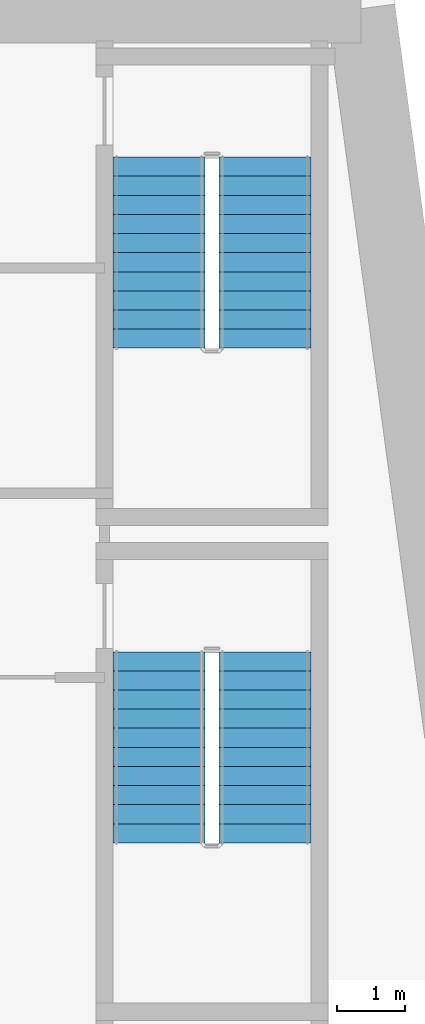
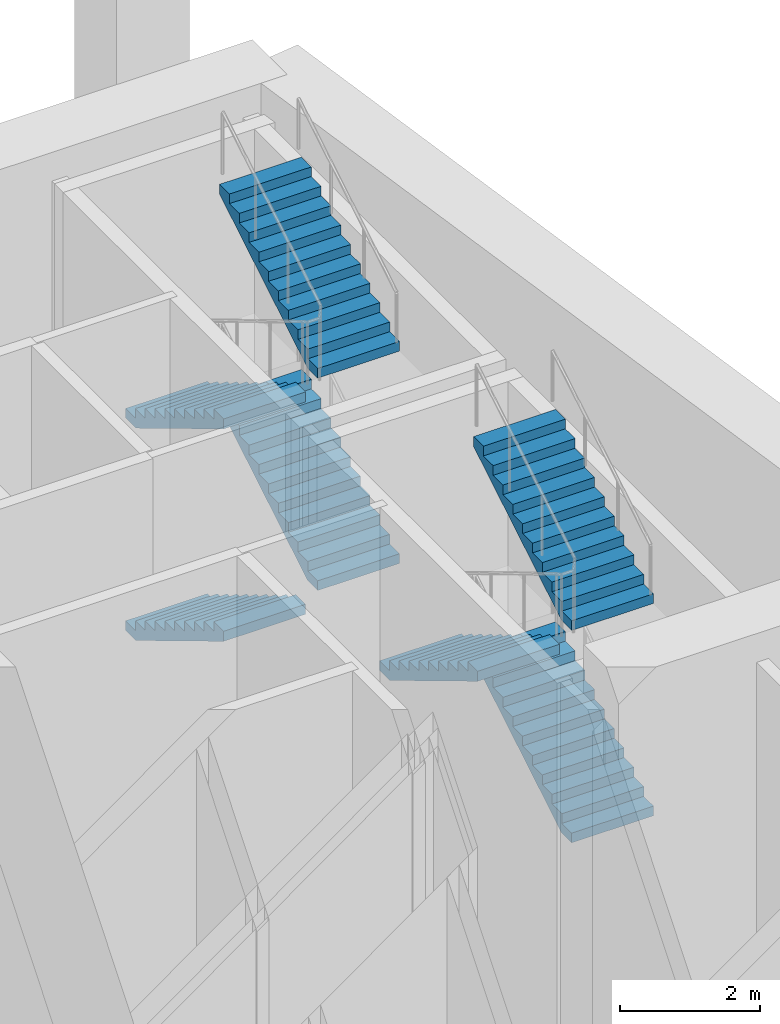
# One storey, part 6 of 10: 7 stair flights, 2 elements without a shape of their own.
"""IFC4 building model written with IfcOpenShell, lengths in metres."""

from ifc_helpers import new_model, si_unit, direction, frame, origin, place, context, subcontext, project, spatial, polyline, outline, extrude, material, type_object, element, aggregate, save


model = new_model("IFC4")

# Units and contexts
model_context = context("Model", 3, precision=1e-05, world=origin(), true_north=direction((0.0, 1.0)))
body_context = subcontext(model_context, "Body", "Model", "MODEL_VIEW")
ifc_project = project(units=[si_unit("LENGTHUNIT", "METRE"), si_unit("AREAUNIT", "SQUARE_METRE"), si_unit("VOLUMEUNIT", "CUBIC_METRE"), si_unit("PLANEANGLEUNIT", "RADIAN"), si_unit("MASSUNIT", "GRAM", prefix="KILO")], contexts=[model_context])

# Site, building, storey
site_placement = place(None, origin())
site = spatial("IfcSite", under=ifc_project, at=site_placement, CompositionType="ELEMENT")
building_placement = place(site_placement, origin())
building = spatial("IfcBuilding", under=site, at=building_placement, Name="Candeia Pilgrim Tower and Theatre", CompositionType="ELEMENT")
storey_placement = place(building_placement, frame((0.0, 0.0, 135.39990234375)))
storey = spatial("IfcBuildingStorey", under=building, at=storey_placement, Name="L32", CompositionType="ELEMENT", Elevation=135.39990234375)

# Stair, stair flights
ifc_material = material(Name="Concrete C40/50", Category="concrete")
stair_type = type_object("IfcStairType", Name="ST-TWR dog-leg escape stair", PredefinedType="HALF_TURN_STAIR", material=ifc_material)
stair_1_placement = place(storey_placement, origin())
stair_1 = element("IfcStair", 1, at=stair_1_placement, inside=storey, type_object=stair_type, Name="L32 Escape stair ST3", PredefinedType="HALF_TURN_STAIR")
stair_flight_type = type_object("IfcStairFlightType", Name="SFL-RC stair flight", PredefinedType="STRAIGHT", material=ifc_material)
stair_flight_1_placement = place(storey_placement, frame((136.322998046875, 119.675048828125, 1.85009765625), z_axis=(0.0, 0.0, 1.0), x_axis=(0.0, 1.0, 0.0)))
stair_flight_1 = element("IfcStairFlight", 2, at=stair_flight_1_placement, type_object=stair_flight_type, Name="ST3 flight 2", NumberOfRisers=11, NumberOfTreads=10, PredefinedType="STRAIGHT", RiserHeight=0.168181818, TreadLength=0.28, context=body_context, shape_type="SweptSolid", body=[
    extrude(outline(polyline([(0.0, 0.0), (0.0, 0.168212890625), (0.280029296875, 0.168212890625), (0.280029296875, 0.33642578125), (0.56005859375, 0.33642578125), (0.56005859375, 0.504638671875), (0.840087890625, 0.504638671875), (0.840087890625, 0.672607421875), (1.1201171875, 0.672607421875), (1.1201171875, 0.8408203125), (1.39990234375, 0.8408203125), (1.39990234375, 1.009033203125), (1.679931640625, 1.009033203125), (1.679931640625, 1.17724609375), (1.9599609375, 1.17724609375), (1.9599609375, 1.345458984375), (2.239990234375, 1.345458984375), (2.239990234375, 1.513671875), (2.52001953125, 1.513671875), (2.52001953125, 1.681884765625), (2.800048828125, 1.681884765625), (2.800048828125, 1.85009765625), (2.800048828125, 1.5068359375), (0.291015625, 0.0), (0.0, 0.0)])), frame((0.0, 0.675048828125, 0.0), z_axis=(0.0, -1.0, 0.0), x_axis=(1.0, 0.0, 0.0)), (0.0, 0.0, 1.0), 1.35009765625),
])
stair_flight_2_placement = place(storey_placement, frame((134.77294921875, 122.47509765625, 3.7001953125), z_axis=(0.0, 0.0, 1.0), x_axis=(0.0, -1.0, 0.0)))
stair_flight_2 = element("IfcStairFlight", 3, at=stair_flight_2_placement, type_object=stair_flight_type, Name="ST3 flight 3", NumberOfRisers=11, NumberOfTreads=10, PredefinedType="STRAIGHT", RiserHeight=0.168181818, TreadLength=0.28, context=body_context, shape_type="SweptSolid", body=[
    extrude(outline(polyline([(0.0, 0.0), (0.0, 0.168212890625), (0.280029296875, 0.168212890625), (0.280029296875, 0.33642578125), (0.56005859375, 0.33642578125), (0.56005859375, 0.504638671875), (0.840087890625, 0.504638671875), (0.840087890625, 0.672607421875), (1.1201171875, 0.672607421875), (1.1201171875, 0.8408203125), (1.39990234375, 0.8408203125), (1.39990234375, 1.009033203125), (1.679931640625, 1.009033203125), (1.679931640625, 1.17724609375), (1.9599609375, 1.17724609375), (1.9599609375, 1.345458984375), (2.239990234375, 1.345458984375), (2.239990234375, 1.513671875), (2.52001953125, 1.513671875), (2.52001953125, 1.681884765625), (2.800048828125, 1.681884765625), (2.800048828125, 1.85009765625), (2.800048828125, 1.5068359375), (0.291015625, 0.0), (0.0, 0.0)])), frame((0.0, 0.675048828125, 0.0), z_axis=(0.0, -1.0, 0.0), x_axis=(1.0, 0.0, 0.0)), (0.0, 0.0, 1.0), 1.35009765625),
])
stair_flight_3_placement = place(storey_placement, frame((136.322998046875, 119.675048828125, 5.550048828125), z_axis=(0.0, 0.0, 1.0), x_axis=(0.0, 1.0, 0.0)))
stair_flight_3 = element("IfcStairFlight", 4, at=stair_flight_3_placement, type_object=stair_flight_type, Name="ST3 flight 4", NumberOfRisers=11, NumberOfTreads=10, PredefinedType="STRAIGHT", RiserHeight=0.168181818, TreadLength=0.28, context=body_context, shape_type="SweptSolid", body=[
    extrude(outline(polyline([(0.0, 0.0), (0.0, 0.168212890625), (0.280029296875, 0.168212890625), (0.280029296875, 0.33642578125), (0.56005859375, 0.33642578125), (0.56005859375, 0.504638671875), (0.840087890625, 0.504638671875), (0.840087890625, 0.672607421875), (1.1201171875, 0.672607421875), (1.1201171875, 0.8408203125), (1.39990234375, 0.8408203125), (1.39990234375, 1.009033203125), (1.679931640625, 1.009033203125), (1.679931640625, 1.17724609375), (1.9599609375, 1.17724609375), (1.9599609375, 1.345458984375), (2.239990234375, 1.345458984375), (2.239990234375, 1.513671875), (2.52001953125, 1.513671875), (2.52001953125, 1.681884765625), (2.800048828125, 1.681884765625), (2.800048828125, 1.85009765625), (2.800048828125, 1.5068359375), (0.291015625, 0.0), (0.0, 0.0)])), frame((0.0, 0.675048828125, 0.0), z_axis=(0.0, -1.0, 0.0), x_axis=(1.0, 0.0, 0.0)), (0.0, 0.0, 1.0), 1.35009765625),
])
aggregate(stair_1, [stair_flight_1, stair_flight_2, stair_flight_3])

stair_2_placement = place(storey_placement, origin())
stair_2 = element("IfcStair", 5, at=stair_2_placement, inside=storey, type_object=stair_type, Name="L32 Escape stair ST4", PredefinedType="HALF_TURN_STAIR")
stair_flight_4_placement = place(storey_placement, frame((134.77294921875, 129.72509765625, 0.0), z_axis=(0.0, 0.0, 1.0), x_axis=(0.0, -1.0, 0.0)))
stair_flight_4 = element("IfcStairFlight", 6, at=stair_flight_4_placement, type_object=stair_flight_type, Name="ST4 flight 1", NumberOfRisers=11, NumberOfTreads=10, PredefinedType="STRAIGHT", RiserHeight=0.168181818, TreadLength=0.28, context=body_context, shape_type="SweptSolid", body=[
    extrude(outline(polyline([(0.0, 0.0), (0.0, 0.168212890625), (0.280029296875, 0.168212890625), (0.280029296875, 0.33642578125), (0.56005859375, 0.33642578125), (0.56005859375, 0.504638671875), (0.840087890625, 0.504638671875), (0.840087890625, 0.672607421875), (1.1201171875, 0.672607421875), (1.1201171875, 0.8408203125), (1.39990234375, 0.8408203125), (1.39990234375, 1.009033203125), (1.679931640625, 1.009033203125), (1.679931640625, 1.17724609375), (1.9599609375, 1.17724609375), (1.9599609375, 1.345458984375), (2.239990234375, 1.345458984375), (2.239990234375, 1.513671875), (2.52001953125, 1.513671875), (2.52001953125, 1.681884765625), (2.800048828125, 1.681884765625), (2.800048828125, 1.85009765625), (2.800048828125, 1.5068359375), (0.291015625, 0.0), (0.0, 0.0)])), frame((0.0, 0.675048828125, 0.0), z_axis=(0.0, -1.0, 0.0), x_axis=(1.0, 0.0, 0.0)), (0.0, 0.0, 1.0), 1.35009765625),
])
stair_flight_5_placement = place(storey_placement, frame((136.322998046875, 126.925048828125, 1.85009765625), z_axis=(0.0, 0.0, 1.0), x_axis=(0.0, 1.0, 0.0)))
stair_flight_5 = element("IfcStairFlight", 7, at=stair_flight_5_placement, type_object=stair_flight_type, Name="ST4 flight 2", NumberOfRisers=11, NumberOfTreads=10, PredefinedType="STRAIGHT", RiserHeight=0.168181818, TreadLength=0.28, context=body_context, shape_type="SweptSolid", body=[
    extrude(outline(polyline([(0.0, 0.0), (0.0, 0.168212890625), (0.280029296875, 0.168212890625), (0.280029296875, 0.33642578125), (0.56005859375, 0.33642578125), (0.56005859375, 0.504638671875), (0.840087890625, 0.504638671875), (0.840087890625, 0.672607421875), (1.1201171875, 0.672607421875), (1.1201171875, 0.8408203125), (1.39990234375, 0.8408203125), (1.39990234375, 1.009033203125), (1.679931640625, 1.009033203125), (1.679931640625, 1.17724609375), (1.9599609375, 1.17724609375), (1.9599609375, 1.345458984375), (2.239990234375, 1.345458984375), (2.239990234375, 1.513671875), (2.52001953125, 1.513671875), (2.52001953125, 1.681884765625), (2.800048828125, 1.681884765625), (2.800048828125, 1.85009765625), (2.800048828125, 1.5068359375), (0.291015625, 0.0), (0.0, 0.0)])), frame((0.0, 0.675048828125, 0.0), z_axis=(0.0, -1.0, 0.0), x_axis=(1.0, 0.0, 0.0)), (0.0, 0.0, 1.0), 1.35009765625),
])
stair_flight_6_placement = place(storey_placement, frame((134.77294921875, 129.72509765625, 3.7001953125), z_axis=(0.0, 0.0, 1.0), x_axis=(0.0, -1.0, 0.0)))
stair_flight_6 = element("IfcStairFlight", 8, at=stair_flight_6_placement, type_object=stair_flight_type, Name="ST4 flight 3", NumberOfRisers=11, NumberOfTreads=10, PredefinedType="STRAIGHT", RiserHeight=0.168181818, TreadLength=0.28, context=body_context, shape_type="SweptSolid", body=[
    extrude(outline(polyline([(0.0, 0.0), (0.0, 0.168212890625), (0.280029296875, 0.168212890625), (0.280029296875, 0.33642578125), (0.56005859375, 0.33642578125), (0.56005859375, 0.504638671875), (0.840087890625, 0.504638671875), (0.840087890625, 0.672607421875), (1.1201171875, 0.672607421875), (1.1201171875, 0.8408203125), (1.39990234375, 0.8408203125), (1.39990234375, 1.009033203125), (1.679931640625, 1.009033203125), (1.679931640625, 1.17724609375), (1.9599609375, 1.17724609375), (1.9599609375, 1.345458984375), (2.239990234375, 1.345458984375), (2.239990234375, 1.513671875), (2.52001953125, 1.513671875), (2.52001953125, 1.681884765625), (2.800048828125, 1.681884765625), (2.800048828125, 1.85009765625), (2.800048828125, 1.5068359375), (0.291015625, 0.0), (0.0, 0.0)])), frame((0.0, 0.675048828125, 0.0), z_axis=(0.0, -1.0, 0.0), x_axis=(1.0, 0.0, 0.0)), (0.0, 0.0, 1.0), 1.35009765625),
])
stair_flight_7_placement = place(storey_placement, frame((136.322998046875, 126.925048828125, 5.550048828125), z_axis=(0.0, 0.0, 1.0), x_axis=(0.0, 1.0, 0.0)))
stair_flight_7 = element("IfcStairFlight", 9, at=stair_flight_7_placement, type_object=stair_flight_type, Name="ST4 flight 4", NumberOfRisers=11, NumberOfTreads=10, PredefinedType="STRAIGHT", RiserHeight=0.168181818, TreadLength=0.28, context=body_context, shape_type="SweptSolid", body=[
    extrude(outline(polyline([(0.0, 0.0), (0.0, 0.168212890625), (0.280029296875, 0.168212890625), (0.280029296875, 0.33642578125), (0.56005859375, 0.33642578125), (0.56005859375, 0.504638671875), (0.840087890625, 0.504638671875), (0.840087890625, 0.672607421875), (1.1201171875, 0.672607421875), (1.1201171875, 0.8408203125), (1.39990234375, 0.8408203125), (1.39990234375, 1.009033203125), (1.679931640625, 1.009033203125), (1.679931640625, 1.17724609375), (1.9599609375, 1.17724609375), (1.9599609375, 1.345458984375), (2.239990234375, 1.345458984375), (2.239990234375, 1.513671875), (2.52001953125, 1.513671875), (2.52001953125, 1.681884765625), (2.800048828125, 1.681884765625), (2.800048828125, 1.85009765625), (2.800048828125, 1.5068359375), (0.291015625, 0.0), (0.0, 0.0)])), frame((0.0, 0.675048828125, 0.0), z_axis=(0.0, -1.0, 0.0), x_axis=(1.0, 0.0, 0.0)), (0.0, 0.0, 1.0), 1.35009765625),
])
aggregate(stair_2, [stair_flight_4, stair_flight_5, stair_flight_6, stair_flight_7])

save(model, "model.ifc")
